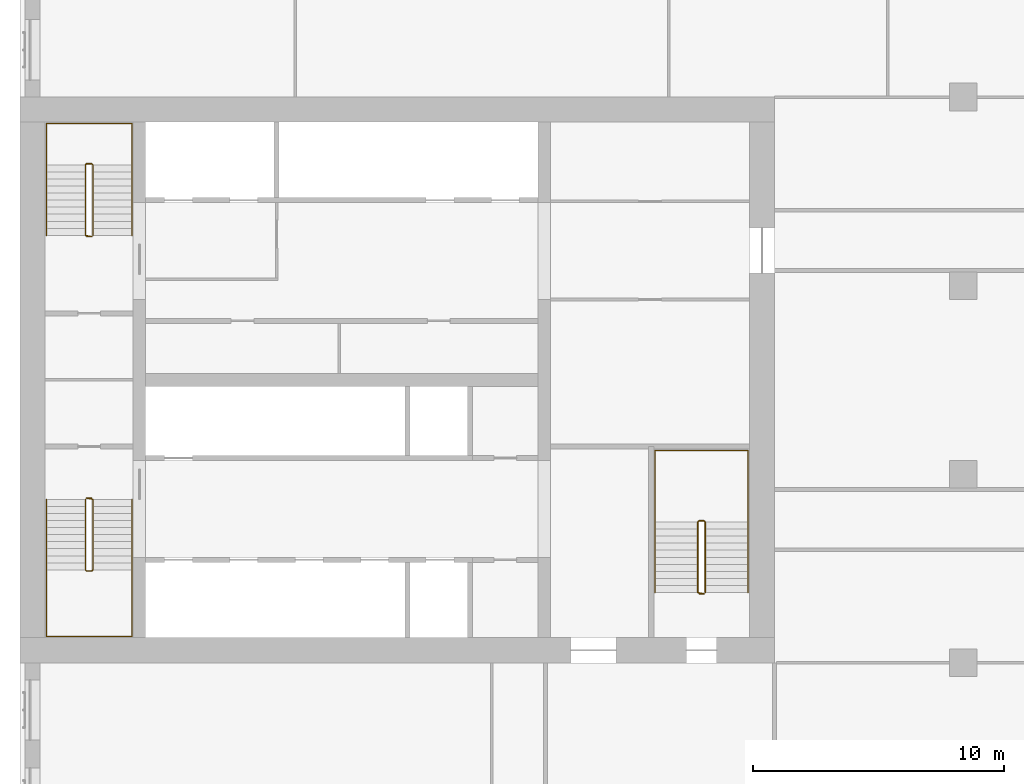
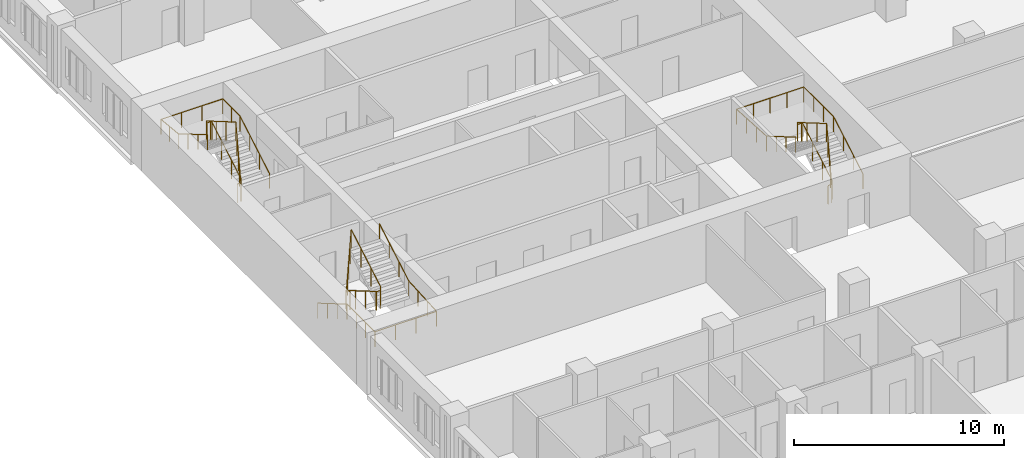
# One storey, part 14 of 14: 6 railings.
"""IFC4 building model written with IfcOpenShell, lengths in metres."""

from ifc_helpers import new_model, si_unit, direction, frame, origin, origin_2d, place, context, subcontext, project, spatial, circle, extrude, material, type_object, element, save


model = new_model("IFC4")

# Units and contexts
model_context = context("Model", 3, precision=1e-05, world=origin(), true_north=direction((0.0, 1.0)))
body_context = subcontext(model_context, "Body", "Model", "MODEL_VIEW")
ifc_project = project(units=[si_unit("LENGTHUNIT", "METRE"), si_unit("AREAUNIT", "SQUARE_METRE"), si_unit("VOLUMEUNIT", "CUBIC_METRE"), si_unit("PLANEANGLEUNIT", "RADIAN"), si_unit("MASSUNIT", "GRAM", prefix="KILO")], contexts=[model_context])

# Site, building, storey
site_placement = place(None, origin())
site = spatial("IfcSite", under=ifc_project, at=site_placement, CompositionType="ELEMENT")
building_placement = place(site_placement, origin())
building = spatial("IfcBuilding", under=site, at=building_placement, Name="Tamorin Gate", CompositionType="ELEMENT")
storey_placement = place(building_placement, frame((0.0, 0.0, 100.699951171875)))
storey = spatial("IfcBuildingStorey", under=building, at=storey_placement, Name="L24", CompositionType="ELEMENT", Elevation=100.699951171875)

# Railings
ifc_material_1 = material(Name="Painted steel balustrade", Category="steel")
railing_type_1 = type_object("IfcRailingType", Name="Stair guard 1100", PredefinedType="GUARDRAIL", material=ifc_material_1)
railing_1_placement = place(storey_placement, frame((32.60009765625, 66.5, 0.16357421875)))
element("IfcRailing", 1, at=railing_1_placement, inside=storey, type_object=railing_type_1, Name="L24 ST1 stair guard 1", PredefinedType="GUARDRAIL", context=body_context, shape_type="SweptSolid", body=[
    extrude(circle(Radius=0.02392578125, at=origin_2d()), frame((0.0, 0.0, 1.076171875), z_axis=(0.0, -0.863360870873, 0.504586966384), x_axis=(1.0, 0.0, 0.0)), (0.0, 0.0, 1.0), 3.2431640625),
    extrude(circle(Radius=0.02392578125, at=origin_2d()), frame((0.0, -2.800048828125, 2.71240234375), z_axis=(0.705375805398, -0.708833529934, 0.0), x_axis=(0.708833529934, 0.705375805398, 0.0)), (0.0, 0.0, 1.0), 0.070556640625),
    extrude(circle(Radius=0.02392578125, at=origin_2d()), frame((0.0498046875, -2.85009765625, 2.71240234375), z_axis=(1.0, 0.0, 0.0), x_axis=(0.0, 1.0, 0.0)), (0.0, 0.0, 1.0), 0.2001953125),
    extrude(circle(Radius=0.02392578125, at=origin_2d()), frame((0.25, -2.85009765625, 2.71240234375), z_axis=(0.279546231943, 0.280916556609, 0.91811752648), x_axis=(-0.708833529934, 0.705375805398, 0.0)), (0.0, 0.0, 1.0), 0.17822265625),
    extrude(circle(Radius=0.02392578125, at=origin_2d()), frame((0.2998046875, -2.800048828125, 2.8759765625), z_axis=(0.0, 0.863360870873, 0.504586966384), x_axis=(-1.0, 0.0, 0.0)), (0.0, 0.0, 1.0), 3.2431640625),
    extrude(circle(Radius=0.02392578125, at=origin_2d()), frame((0.2998046875, 0.0, 4.5126953125), z_axis=(-0.069269067181, 0.013867342551, -0.997501625634), x_axis=(-0.196300278283, -0.98054382908, 0.0)), (0.0, 0.0, 1.0), 3.609130859375),
    extrude(circle(Radius=0.02392578125, at=origin_2d()), frame((0.0498046875, 0.050048828125, 0.91259765625), z_axis=(1.0, 0.0, 0.0), x_axis=(0.0, 1.0, 0.0)), (0.0, 0.0, 1.0), 0.2001953125),
    extrude(circle(Radius=0.02099609375, at=origin_2d()), origin(), (0.0, 0.0, 1.0), 1.052001953125),
    extrude(circle(Radius=0.02099609375, at=origin_2d()), frame((0.0, -0.933349609375, 0.54541015625)), (0.0, 0.0, 1.0), 1.052001953125),
    extrude(circle(Radius=0.02099609375, at=origin_2d()), frame((0.0, -1.86669921875, 1.091064453125)), (0.0, 0.0, 1.0), 1.052001953125),
    extrude(circle(Radius=0.02099609375, at=origin_2d()), frame((0.0, -2.800048828125, 1.636474609375)), (0.0, 0.0, 1.0), 1.052001953125),
    extrude(circle(Radius=0.02099609375, at=origin_2d()), frame((0.0498046875, -2.85009765625, 1.636474609375)), (0.0, 0.0, 1.0), 1.052001953125),
    extrude(circle(Radius=0.02099609375, at=origin_2d()), frame((0.25, -2.85009765625, 1.636474609375)), (0.0, 0.0, 1.0), 1.052001953125),
    extrude(circle(Radius=0.02099609375, at=origin_2d()), frame((0.2998046875, -2.800048828125, 1.800048828125)), (0.0, 0.0, 1.0), 1.052001953125),
    extrude(circle(Radius=0.02099609375, at=origin_2d()), frame((0.2998046875, -1.86669921875, 2.345458984375)), (0.0, 0.0, 1.0), 1.052001953125),
    extrude(circle(Radius=0.02099609375, at=origin_2d()), frame((0.2998046875, -0.933349609375, 2.89111328125)), (0.0, 0.0, 1.0), 1.052001953125),
    extrude(circle(Radius=0.02099609375, at=origin_2d()), frame((0.2998046875, 0.0, 3.4365234375)), (0.0, 0.0, 1.0), 1.052001953125),
    extrude(circle(Radius=0.02099609375, at=origin_2d()), frame((0.2373046875, 0.012451171875, 2.53662109375)), (0.0, 0.0, 1.0), 1.052001953125),
    extrude(circle(Radius=0.02099609375, at=origin_2d()), frame((0.1748046875, 0.02490234375, 1.636474609375)), (0.0, 0.0, 1.0), 1.052001953125),
    extrude(circle(Radius=0.02099609375, at=origin_2d()), frame((0.1123046875, 0.03759765625, 0.736328125)), (0.0, 0.0, 1.0), 1.052001953125),
    extrude(circle(Radius=0.02099609375, at=origin_2d()), frame((0.0498046875, 0.050048828125, -0.16357421875)), (0.0, 0.0, 1.0), 1.052001953125),
    extrude(circle(Radius=0.02099609375, at=origin_2d()), frame((0.25, 0.050048828125, -0.16357421875)), (0.0, 0.0, 1.0), 1.052001953125),
])
railing_2_placement = place(storey_placement, frame((32.89990234375, 77.0, 0.16357421875)))
element("IfcRailing", 2, at=railing_2_placement, inside=storey, type_object=railing_type_1, Name="L24 ST2 stair guard 1", PredefinedType="GUARDRAIL", context=body_context, shape_type="SweptSolid", body=[
    extrude(circle(Radius=0.02392578125, at=origin_2d()), frame((0.0, 0.0, 1.076171875), z_axis=(0.0, 0.863360870873, 0.504586966384), x_axis=(-1.0, 0.0, 0.0)), (0.0, 0.0, 1.0), 3.2431640625),
    extrude(circle(Radius=0.02392578125, at=origin_2d()), frame((0.0, 2.800048828125, 2.71240234375), z_axis=(-0.705375805398, 0.708833529934, 0.0), x_axis=(-0.708833529934, -0.705375805398, 0.0)), (0.0, 0.0, 1.0), 0.070556640625),
    extrude(circle(Radius=0.02392578125, at=origin_2d()), frame((-0.0498046875, 2.85009765625, 2.71240234375), z_axis=(-1.0, 0.0, 0.0), x_axis=(0.0, -1.0, 0.0)), (0.0, 0.0, 1.0), 0.2001953125),
    extrude(circle(Radius=0.02392578125, at=origin_2d()), frame((-0.25, 2.85009765625, 2.71240234375), z_axis=(-0.279546231943, -0.280916556609, 0.91811752648), x_axis=(0.708833529934, -0.705375805398, 0.0)), (0.0, 0.0, 1.0), 0.17822265625),
    extrude(circle(Radius=0.02392578125, at=origin_2d()), frame((-0.2998046875, 2.800048828125, 2.8759765625), z_axis=(0.0, -0.863360870873, 0.504586966384), x_axis=(1.0, 0.0, 0.0)), (0.0, 0.0, 1.0), 3.2431640625),
    extrude(circle(Radius=0.02392578125, at=origin_2d()), frame((-0.2998046875, 0.0, 4.5126953125), z_axis=(0.069269067181, -0.013867342551, -0.997501625634), x_axis=(0.196300278283, 0.98054382908, 0.0)), (0.0, 0.0, 1.0), 3.609130859375),
    extrude(circle(Radius=0.02392578125, at=origin_2d()), frame((-0.0498046875, -0.050048828125, 0.91259765625), z_axis=(-1.0, 0.0, 0.0), x_axis=(0.0, -1.0, 0.0)), (0.0, 0.0, 1.0), 0.2001953125),
    extrude(circle(Radius=0.02099609375, at=origin_2d()), origin(), (0.0, 0.0, 1.0), 1.052001953125),
    extrude(circle(Radius=0.02099609375, at=origin_2d()), frame((0.0, 0.933349609375, 0.54541015625)), (0.0, 0.0, 1.0), 1.052001953125),
    extrude(circle(Radius=0.02099609375, at=origin_2d()), frame((0.0, 1.86669921875, 1.091064453125)), (0.0, 0.0, 1.0), 1.052001953125),
    extrude(circle(Radius=0.02099609375, at=origin_2d()), frame((0.0, 2.800048828125, 1.636474609375)), (0.0, 0.0, 1.0), 1.052001953125),
    extrude(circle(Radius=0.02099609375, at=origin_2d()), frame((-0.0498046875, 2.85009765625, 1.636474609375)), (0.0, 0.0, 1.0), 1.052001953125),
    extrude(circle(Radius=0.02099609375, at=origin_2d()), frame((-0.25, 2.85009765625, 1.636474609375)), (0.0, 0.0, 1.0), 1.052001953125),
    extrude(circle(Radius=0.02099609375, at=origin_2d()), frame((-0.2998046875, 2.800048828125, 1.800048828125)), (0.0, 0.0, 1.0), 1.052001953125),
    extrude(circle(Radius=0.02099609375, at=origin_2d()), frame((-0.2998046875, 1.86669921875, 2.345458984375)), (0.0, 0.0, 1.0), 1.052001953125),
    extrude(circle(Radius=0.02099609375, at=origin_2d()), frame((-0.2998046875, 0.933349609375, 2.89111328125)), (0.0, 0.0, 1.0), 1.052001953125),
    extrude(circle(Radius=0.02099609375, at=origin_2d()), frame((-0.2998046875, 0.0, 3.4365234375)), (0.0, 0.0, 1.0), 1.052001953125),
    extrude(circle(Radius=0.02099609375, at=origin_2d()), frame((-0.2373046875, -0.012451171875, 2.53662109375)), (0.0, 0.0, 1.0), 1.052001953125),
    extrude(circle(Radius=0.02099609375, at=origin_2d()), frame((-0.1748046875, -0.02490234375, 1.636474609375)), (0.0, 0.0, 1.0), 1.052001953125),
    extrude(circle(Radius=0.02099609375, at=origin_2d()), frame((-0.1123046875, -0.03759765625, 0.736328125)), (0.0, 0.0, 1.0), 1.052001953125),
    extrude(circle(Radius=0.02099609375, at=origin_2d()), frame((-0.0498046875, -0.050048828125, -0.16357421875)), (0.0, 0.0, 1.0), 1.052001953125),
    extrude(circle(Radius=0.02099609375, at=origin_2d()), frame((-0.25, -0.050048828125, -0.16357421875)), (0.0, 0.0, 1.0), 1.052001953125),
])
railing_3_placement = place(storey_placement, frame((57.25, 62.800048828125, 0.16357421875)))
element("IfcRailing", 3, at=railing_3_placement, inside=storey, type_object=railing_type_1, Name="L24 ST3 stair guard 1", PredefinedType="GUARDRAIL", context=body_context, shape_type="SweptSolid", body=[
    extrude(circle(Radius=0.02392578125, at=origin_2d()), frame((0.0, 0.0, 1.076171875), z_axis=(0.0, 0.863360870873, 0.504586966384), x_axis=(-1.0, 0.0, 0.0)), (0.0, 0.0, 1.0), 3.2431640625),
    extrude(circle(Radius=0.02392578125, at=origin_2d()), frame((0.0, 2.800048828125, 2.71240234375), z_axis=(-0.708833529934, 0.705375805398, 0.0), x_axis=(-0.705375805398, -0.708833529934, 0.0)), (0.0, 0.0, 1.0), 0.070556640625),
    extrude(circle(Radius=0.02392578125, at=origin_2d()), frame((-0.050048828125, 2.849853515625, 2.71240234375), z_axis=(-1.0, 0.0, 0.0), x_axis=(0.0, -1.0, 0.0)), (0.0, 0.0, 1.0), 0.199951171875),
    extrude(circle(Radius=0.02392578125, at=origin_2d()), frame((-0.25, 2.849853515625, 2.71240234375), z_axis=(-0.280916556609, -0.279546231943, 0.91811752648), x_axis=(0.705375805398, -0.708833529934, 0.0)), (0.0, 0.0, 1.0), 0.17822265625),
    extrude(circle(Radius=0.02392578125, at=origin_2d()), frame((-0.300048828125, 2.800048828125, 2.8759765625), z_axis=(0.0, -0.863360870873, 0.504586966384), x_axis=(1.0, 0.0, 0.0)), (0.0, 0.0, 1.0), 3.2431640625),
    extrude(circle(Radius=0.02392578125, at=origin_2d()), frame((-0.300048828125, 0.0, 4.5126953125), z_axis=(0.069269067181, -0.013867342551, -0.997501625634), x_axis=(0.196300278283, 0.98054382908, 0.0)), (0.0, 0.0, 1.0), 3.609130859375),
    extrude(circle(Radius=0.02392578125, at=origin_2d()), frame((-0.050048828125, -0.050048828125, 0.91259765625), z_axis=(-1.0, 0.0, 0.0), x_axis=(0.0, -1.0, 0.0)), (0.0, 0.0, 1.0), 0.199951171875),
    extrude(circle(Radius=0.02099609375, at=origin_2d()), origin(), (0.0, 0.0, 1.0), 1.052001953125),
    extrude(circle(Radius=0.02099609375, at=origin_2d()), frame((0.0, 0.933349609375, 0.54541015625)), (0.0, 0.0, 1.0), 1.052001953125),
    extrude(circle(Radius=0.02099609375, at=origin_2d()), frame((0.0, 1.86669921875, 1.091064453125)), (0.0, 0.0, 1.0), 1.052001953125),
    extrude(circle(Radius=0.02099609375, at=origin_2d()), frame((0.0, 2.800048828125, 1.636474609375)), (0.0, 0.0, 1.0), 1.052001953125),
    extrude(circle(Radius=0.02099609375, at=origin_2d()), frame((-0.050048828125, 2.849853515625, 1.636474609375)), (0.0, 0.0, 1.0), 1.052001953125),
    extrude(circle(Radius=0.02099609375, at=origin_2d()), frame((-0.25, 2.849853515625, 1.636474609375)), (0.0, 0.0, 1.0), 1.052001953125),
    extrude(circle(Radius=0.02099609375, at=origin_2d()), frame((-0.300048828125, 2.800048828125, 1.800048828125)), (0.0, 0.0, 1.0), 1.052001953125),
    extrude(circle(Radius=0.02099609375, at=origin_2d()), frame((-0.300048828125, 1.86669921875, 2.345458984375)), (0.0, 0.0, 1.0), 1.052001953125),
    extrude(circle(Radius=0.02099609375, at=origin_2d()), frame((-0.300048828125, 0.933349609375, 2.89111328125)), (0.0, 0.0, 1.0), 1.052001953125),
    extrude(circle(Radius=0.02099609375, at=origin_2d()), frame((-0.300048828125, 0.0, 3.4365234375)), (0.0, 0.0, 1.0), 1.052001953125),
    extrude(circle(Radius=0.02099609375, at=origin_2d()), frame((-0.237548828125, -0.012451171875, 2.53662109375)), (0.0, 0.0, 1.0), 1.052001953125),
    extrude(circle(Radius=0.02099609375, at=origin_2d()), frame((-0.175048828125, -0.02490234375, 1.636474609375)), (0.0, 0.0, 1.0), 1.052001953125),
    extrude(circle(Radius=0.02099609375, at=origin_2d()), frame((-0.112548828125, -0.03759765625, 0.736328125)), (0.0, 0.0, 1.0), 1.052001953125),
    extrude(circle(Radius=0.02099609375, at=origin_2d()), frame((-0.050048828125, -0.050048828125, -0.16357421875)), (0.0, 0.0, 1.0), 1.052001953125),
    extrude(circle(Radius=0.02099609375, at=origin_2d()), frame((-0.25, -0.050048828125, -0.16357421875)), (0.0, 0.0, 1.0), 1.052001953125),
])
ifc_material_2 = material(Name="Painted steel handrail", Category="steel")
railing_type_2 = type_object("IfcRailingType", Name="Stair handrail 900", PredefinedType="HANDRAIL", material=ifc_material_2)
railing_4_placement = place(storey_placement, frame((31.050048828125, 66.5, 0.16357421875)))
element("IfcRailing", 4, at=railing_4_placement, inside=storey, type_object=railing_type_2, Name="L24 ST1 stair handrail 1", PredefinedType="HANDRAIL", context=body_context, shape_type="SweptSolid", body=[
    extrude(circle(Radius=0.02392578125, at=origin_2d()), frame((0.0, 0.0, 0.8759765625), z_axis=(0.0, -0.863360870873, 0.504586966384), x_axis=(1.0, 0.0, 0.0)), (0.0, 0.0, 1.0), 3.2431640625),
    extrude(circle(Radius=0.02392578125, at=origin_2d()), frame((0.0, -2.800048828125, 2.51220703125), z_axis=(0.0, -1.0, 0.0), x_axis=(1.0, 0.0, 0.0)), (0.0, 0.0, 1.0), 2.64990234375),
    extrude(circle(Radius=0.02392578125, at=origin_2d()), frame((0.0, -5.449951171875, 2.51220703125), z_axis=(1.0, 0.0, 0.0), x_axis=(0.0, 1.0, 0.0)), (0.0, 0.0, 1.0), 3.39990234375),
    extrude(circle(Radius=0.02392578125, at=origin_2d()), frame((3.39990234375, -5.449951171875, 2.51220703125), z_axis=(0.0, 0.998100230056, 0.061611125312), x_axis=(-1.0, 0.0, 0.0)), (0.0, 0.0, 1.0), 2.655029296875),
    extrude(circle(Radius=0.02392578125, at=origin_2d()), frame((3.39990234375, -2.800048828125, 2.67578125), z_axis=(0.0, 0.863360870873, 0.504586966384), x_axis=(-1.0, 0.0, 0.0)), (0.0, 0.0, 1.0), 3.2431640625),
    extrude(circle(Radius=0.02099609375, at=origin_2d()), origin(), (0.0, 0.0, 1.0), 0.851806640625),
    extrude(circle(Radius=0.02099609375, at=origin_2d()), frame((0.0, -0.933349609375, 0.54541015625)), (0.0, 0.0, 1.0), 0.851806640625),
    extrude(circle(Radius=0.02099609375, at=origin_2d()), frame((0.0, -1.86669921875, 1.091064453125)), (0.0, 0.0, 1.0), 0.851806640625),
    extrude(circle(Radius=0.02099609375, at=origin_2d()), frame((0.0, -2.800048828125, 1.636474609375)), (0.0, 0.0, 1.0), 0.851806640625),
    extrude(circle(Radius=0.02099609375, at=origin_2d()), frame((0.0, -3.683349609375, 1.636474609375)), (0.0, 0.0, 1.0), 0.851806640625),
    extrude(circle(Radius=0.02099609375, at=origin_2d()), frame((0.0, -4.566650390625, 1.636474609375)), (0.0, 0.0, 1.0), 0.851806640625),
    extrude(circle(Radius=0.02099609375, at=origin_2d()), frame((0.0, -5.449951171875, 1.636474609375)), (0.0, 0.0, 1.0), 0.851806640625),
    extrude(circle(Radius=0.02099609375, at=origin_2d()), frame((1.13330078125, -5.449951171875, 1.636474609375)), (0.0, 0.0, 1.0), 0.851806640625),
    extrude(circle(Radius=0.02099609375, at=origin_2d()), frame((2.2666015625, -5.449951171875, 1.636474609375)), (0.0, 0.0, 1.0), 0.851806640625),
    extrude(circle(Radius=0.02099609375, at=origin_2d()), frame((3.39990234375, -5.449951171875, 1.636474609375)), (0.0, 0.0, 1.0), 0.851806640625),
    extrude(circle(Radius=0.02099609375, at=origin_2d()), frame((3.39990234375, -4.566650390625, 1.69091796875)), (0.0, 0.0, 1.0), 0.851806640625),
    extrude(circle(Radius=0.02099609375, at=origin_2d()), frame((3.39990234375, -3.683349609375, 1.74560546875)), (0.0, 0.0, 1.0), 0.851806640625),
    extrude(circle(Radius=0.02099609375, at=origin_2d()), frame((3.39990234375, -2.800048828125, 1.800048828125)), (0.0, 0.0, 1.0), 0.851806640625),
    extrude(circle(Radius=0.02099609375, at=origin_2d()), frame((3.39990234375, -1.86669921875, 2.345458984375)), (0.0, 0.0, 1.0), 0.851806640625),
    extrude(circle(Radius=0.02099609375, at=origin_2d()), frame((3.39990234375, -0.933349609375, 2.89111328125)), (0.0, 0.0, 1.0), 0.851806640625),
    extrude(circle(Radius=0.02099609375, at=origin_2d()), frame((3.39990234375, 0.0, 3.4365234375)), (0.0, 0.0, 1.0), 0.851806640625),
])
railing_5_placement = place(storey_placement, frame((34.449951171875, 77.0, 0.16357421875)))
element("IfcRailing", 5, at=railing_5_placement, inside=storey, type_object=railing_type_2, Name="L24 ST2 stair handrail 1", PredefinedType="HANDRAIL", context=body_context, shape_type="SweptSolid", body=[
    extrude(circle(Radius=0.02392578125, at=origin_2d()), frame((0.0, 0.0, 0.8759765625), z_axis=(0.0, 0.863360870873, 0.504586966384), x_axis=(-1.0, 0.0, 0.0)), (0.0, 0.0, 1.0), 3.2431640625),
    extrude(circle(Radius=0.02392578125, at=origin_2d()), frame((0.0, 2.800048828125, 2.51220703125), z_axis=(0.0, 1.0, 0.0), x_axis=(-1.0, 0.0, 0.0)), (0.0, 0.0, 1.0), 1.64990234375),
    extrude(circle(Radius=0.02392578125, at=origin_2d()), frame((0.0, 4.449951171875, 2.51220703125), z_axis=(-1.0, 0.0, 0.0), x_axis=(0.0, -1.0, 0.0)), (0.0, 0.0, 1.0), 3.39990234375),
    extrude(circle(Radius=0.02392578125, at=origin_2d()), frame((-3.39990234375, 4.449951171875, 2.51220703125), z_axis=(0.0, -0.995121390814, 0.098658084026), x_axis=(1.0, 0.0, 0.0)), (0.0, 0.0, 1.0), 1.657958984375),
    extrude(circle(Radius=0.02392578125, at=origin_2d()), frame((-3.39990234375, 2.800048828125, 2.67578125), z_axis=(0.0, -0.863360870873, 0.504586966384), x_axis=(1.0, 0.0, 0.0)), (0.0, 0.0, 1.0), 3.2431640625),
    extrude(circle(Radius=0.02099609375, at=origin_2d()), origin(), (0.0, 0.0, 1.0), 0.851806640625),
    extrude(circle(Radius=0.02099609375, at=origin_2d()), frame((0.0, 0.933349609375, 0.54541015625)), (0.0, 0.0, 1.0), 0.851806640625),
    extrude(circle(Radius=0.02099609375, at=origin_2d()), frame((0.0, 1.86669921875, 1.091064453125)), (0.0, 0.0, 1.0), 0.851806640625),
    extrude(circle(Radius=0.02099609375, at=origin_2d()), frame((0.0, 2.800048828125, 1.636474609375)), (0.0, 0.0, 1.0), 0.851806640625),
    extrude(circle(Radius=0.02099609375, at=origin_2d()), frame((0.0, 3.625, 1.636474609375)), (0.0, 0.0, 1.0), 0.851806640625),
    extrude(circle(Radius=0.02099609375, at=origin_2d()), frame((0.0, 4.449951171875, 1.636474609375)), (0.0, 0.0, 1.0), 0.851806640625),
    extrude(circle(Radius=0.02099609375, at=origin_2d()), frame((-1.13330078125, 4.449951171875, 1.636474609375)), (0.0, 0.0, 1.0), 0.851806640625),
    extrude(circle(Radius=0.02099609375, at=origin_2d()), frame((-2.2666015625, 4.449951171875, 1.636474609375)), (0.0, 0.0, 1.0), 0.851806640625),
    extrude(circle(Radius=0.02099609375, at=origin_2d()), frame((-3.39990234375, 4.449951171875, 1.636474609375)), (0.0, 0.0, 1.0), 0.851806640625),
    extrude(circle(Radius=0.02099609375, at=origin_2d()), frame((-3.39990234375, 3.625, 1.71826171875)), (0.0, 0.0, 1.0), 0.851806640625),
    extrude(circle(Radius=0.02099609375, at=origin_2d()), frame((-3.39990234375, 2.800048828125, 1.800048828125)), (0.0, 0.0, 1.0), 0.851806640625),
    extrude(circle(Radius=0.02099609375, at=origin_2d()), frame((-3.39990234375, 1.86669921875, 2.345458984375)), (0.0, 0.0, 1.0), 0.851806640625),
    extrude(circle(Radius=0.02099609375, at=origin_2d()), frame((-3.39990234375, 0.933349609375, 2.89111328125)), (0.0, 0.0, 1.0), 0.851806640625),
    extrude(circle(Radius=0.02099609375, at=origin_2d()), frame((-3.39990234375, 0.0, 3.4365234375)), (0.0, 0.0, 1.0), 0.851806640625),
])
railing_6_placement = place(storey_placement, frame((58.949951171875, 62.800048828125, 0.16357421875)))
element("IfcRailing", 6, at=railing_6_placement, inside=storey, type_object=railing_type_2, Name="L24 ST3 stair handrail 1", PredefinedType="HANDRAIL", context=body_context, shape_type="SweptSolid", body=[
    extrude(circle(Radius=0.02392578125, at=origin_2d()), frame((0.0, 0.0, 0.8759765625), z_axis=(0.0, 0.863360870873, 0.504586966384), x_axis=(-1.0, 0.0, 0.0)), (0.0, 0.0, 1.0), 3.2431640625),
    extrude(circle(Radius=0.02392578125, at=origin_2d()), frame((0.0, 2.800048828125, 2.51220703125), z_axis=(0.0, 1.0, 0.0), x_axis=(-1.0, 0.0, 0.0)), (0.0, 0.0, 1.0), 2.849853515625),
    extrude(circle(Radius=0.02392578125, at=origin_2d()), frame((0.0, 5.64990234375, 2.51220703125), z_axis=(-1.0, 0.0, 0.0), x_axis=(0.0, -1.0, 0.0)), (0.0, 0.0, 1.0), 3.699951171875),
    extrude(circle(Radius=0.02392578125, at=origin_2d()), frame((-3.699951171875, 5.64990234375, 2.51220703125), z_axis=(0.0, -0.998356827416, 0.057303098978), x_axis=(1.0, 0.0, 0.0)), (0.0, 0.0, 1.0), 2.8544921875),
    extrude(circle(Radius=0.02392578125, at=origin_2d()), frame((-3.699951171875, 2.800048828125, 2.67578125), z_axis=(0.0, -0.863360870873, 0.504586966384), x_axis=(1.0, 0.0, 0.0)), (0.0, 0.0, 1.0), 3.2431640625),
    extrude(circle(Radius=0.02099609375, at=origin_2d()), origin(), (0.0, 0.0, 1.0), 0.851806640625),
    extrude(circle(Radius=0.02099609375, at=origin_2d()), frame((0.0, 0.933349609375, 0.54541015625)), (0.0, 0.0, 1.0), 0.851806640625),
    extrude(circle(Radius=0.02099609375, at=origin_2d()), frame((0.0, 1.86669921875, 1.091064453125)), (0.0, 0.0, 1.0), 0.851806640625),
    extrude(circle(Radius=0.02099609375, at=origin_2d()), frame((0.0, 2.800048828125, 1.636474609375)), (0.0, 0.0, 1.0), 0.851806640625),
    extrude(circle(Radius=0.02099609375, at=origin_2d()), frame((0.0, 3.75, 1.636474609375)), (0.0, 0.0, 1.0), 0.851806640625),
    extrude(circle(Radius=0.02099609375, at=origin_2d()), frame((0.0, 4.699951171875, 1.636474609375)), (0.0, 0.0, 1.0), 0.851806640625),
    extrude(circle(Radius=0.02099609375, at=origin_2d()), frame((0.0, 5.64990234375, 1.636474609375)), (0.0, 0.0, 1.0), 0.851806640625),
    extrude(circle(Radius=0.02099609375, at=origin_2d()), frame((-0.925048828125, 5.64990234375, 1.636474609375)), (0.0, 0.0, 1.0), 0.851806640625),
    extrude(circle(Radius=0.02099609375, at=origin_2d()), frame((-1.85009765625, 5.64990234375, 1.636474609375)), (0.0, 0.0, 1.0), 0.851806640625),
    extrude(circle(Radius=0.02099609375, at=origin_2d()), frame((-2.77490234375, 5.64990234375, 1.636474609375)), (0.0, 0.0, 1.0), 0.851806640625),
    extrude(circle(Radius=0.02099609375, at=origin_2d()), frame((-3.699951171875, 5.64990234375, 1.636474609375)), (0.0, 0.0, 1.0), 0.851806640625),
    extrude(circle(Radius=0.02099609375, at=origin_2d()), frame((-3.699951171875, 4.699951171875, 1.69091796875)), (0.0, 0.0, 1.0), 0.851806640625),
    extrude(circle(Radius=0.02099609375, at=origin_2d()), frame((-3.699951171875, 3.75, 1.74560546875)), (0.0, 0.0, 1.0), 0.851806640625),
    extrude(circle(Radius=0.02099609375, at=origin_2d()), frame((-3.699951171875, 2.800048828125, 1.800048828125)), (0.0, 0.0, 1.0), 0.851806640625),
    extrude(circle(Radius=0.02099609375, at=origin_2d()), frame((-3.699951171875, 1.86669921875, 2.345458984375)), (0.0, 0.0, 1.0), 0.851806640625),
    extrude(circle(Radius=0.02099609375, at=origin_2d()), frame((-3.699951171875, 0.933349609375, 2.89111328125)), (0.0, 0.0, 1.0), 0.851806640625),
    extrude(circle(Radius=0.02099609375, at=origin_2d()), frame((-3.699951171875, 0.0, 3.4365234375)), (0.0, 0.0, 1.0), 0.851806640625),
])

save(model, "model.ifc")
